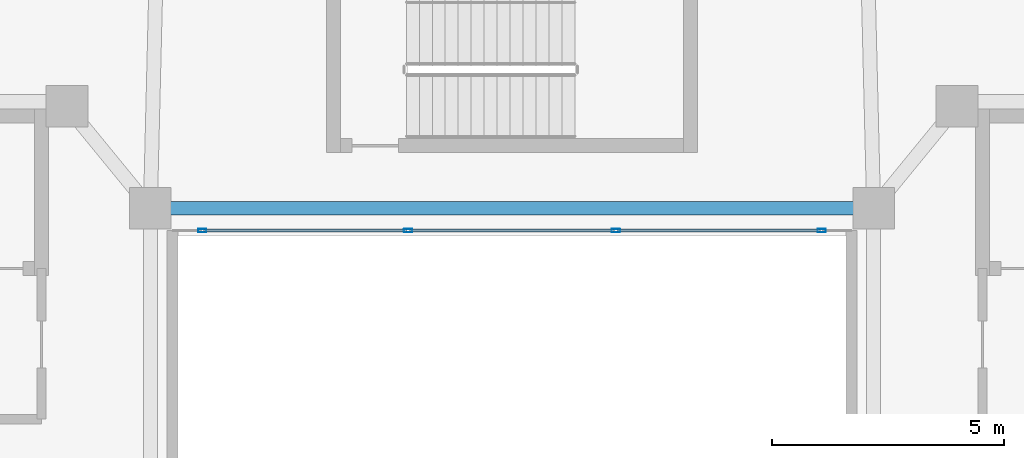
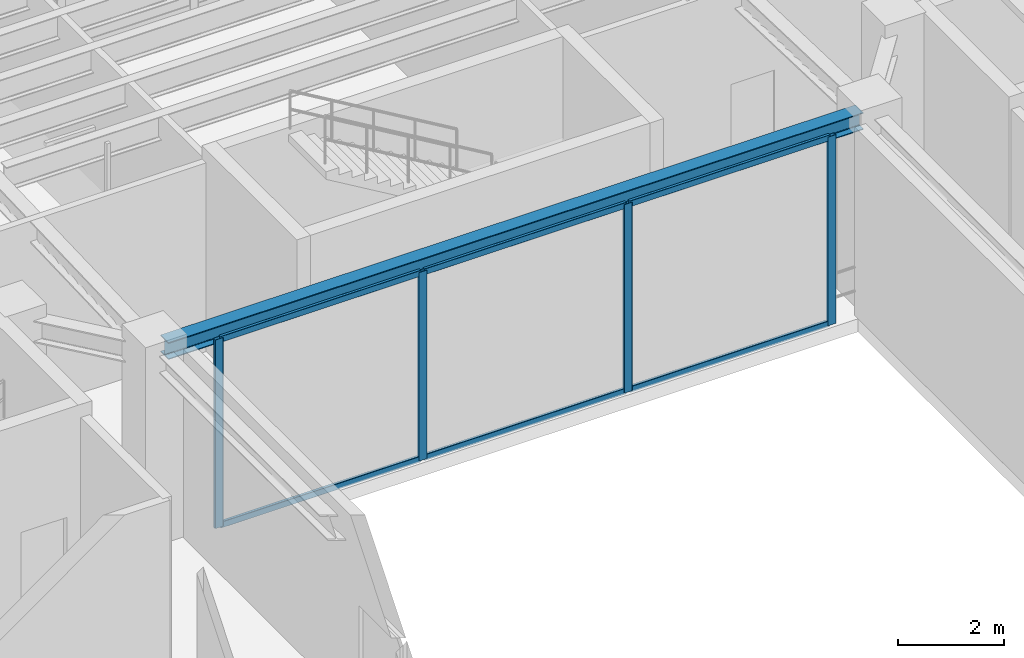
# One storey, part 6 of 23: 10 members, 1 beam, 1 element without a shape of its own.
"""IFC4 building model written with IfcOpenShell, lengths in metres."""

from ifc_helpers import new_model, si_unit, direction, frame, origin, origin_2d, place, context, subcontext, project, spatial, hollow_rectangle, i_section, extrude, material, layer, layer_set, material_profile, profile_set, type_object, element, aggregate, save


model = new_model("IFC4")

# Units and contexts
model_context = context("Model", 3, precision=1e-05, world=origin(), true_north=direction((0.0, 1.0)))
body_context = subcontext(model_context, "Body", "Model", "MODEL_VIEW")
ifc_project = project(units=[si_unit("LENGTHUNIT", "METRE"), si_unit("AREAUNIT", "SQUARE_METRE"), si_unit("VOLUMEUNIT", "CUBIC_METRE"), si_unit("PLANEANGLEUNIT", "RADIAN"), si_unit("MASSUNIT", "GRAM", prefix="KILO")], contexts=[model_context])

# Site, building, storey
site_placement = place(None, origin())
site = spatial("IfcSite", under=ifc_project, at=site_placement, CompositionType="ELEMENT")
building_placement = place(site_placement, origin())
building = spatial("IfcBuilding", under=site, at=building_placement, Name="Tarnavaz Court Tower", CompositionType="ELEMENT")
storey_placement = place(building_placement, frame((0.0, 0.0, 227.10009765625)))
storey = spatial("IfcBuildingStorey", under=building, at=storey_placement, Name="L62", CompositionType="ELEMENT", Elevation=227.10009765625)

# Beam
ifc_material_1 = material(Name="Steel S355", Category="steel")
ifc_material_profile_1 = material_profile(ifc_material_1, i_section(OverallWidth=0.300048828125, OverallDepth=0.389892578125, WebThickness=0.010986328125, FlangeThickness=0.01904296875, FilletRadius=0.027099609375, at=origin_2d()), Name="HEA 400")
ifc_profile_set_1 = profile_set([ifc_material_profile_1], Name="Steel S355")
beam_type = type_object("IfcBeamType", Name="BM-SP-HEA400", PredefinedType="BEAM", material=ifc_profile_set_1)
beam_placement = place(storey_placement, frame((-7.580078125, 7.800048828125, 4.15478515625), z_axis=(1.0, 0.0, 0.0), x_axis=(0.0, 1.0, 0.0)))
element("IfcBeam", 1, at=beam_placement, inside=storey, type_object=beam_type, Name="L62 Beam IN-IW-NW-IW-NE", PredefinedType="BEAM", context=body_context, shape_type="SweptSolid", body=[
    extrude(i_section(OverallWidth=0.300048828125, OverallDepth=0.389892578125, WebThickness=0.010986328125, FlangeThickness=0.01904296875, FilletRadius=0.027099609375, at=origin_2d()), origin(), (0.0, 0.0, 1.0), 15.16015625),
])

# Curtain wall, members
ifc_material_2 = material(Name="Anodised Aluminium 6063-T6 and Solar Low-E Glazing", Category="aluminium")
ifc_layer = layer(ifc_material_2, 0.139892578125)
ifc_layer_set = layer_set([ifc_layer], Name="Anodised Aluminium 6063-T6 and Solar Low-E Glazing")
curtain_wall_type = type_object("IfcCurtainWallType", Name="CW-SYS-04", PredefinedType="NOTDEFINED", material=ifc_layer_set)
curtain_wall_placement = place(storey_placement, origin())
curtain_wall = element("IfcCurtainWall", 2, at=curtain_wall_placement, inside=storey, type_object=curtain_wall_type, Name="L62 Badgir Courtyard Curtain Wall N", PredefinedType="NOTDEFINED")
ifc_material_3 = material(Name="Anodised Aluminium 6063-T6", Category="aluminium")
ifc_material_profile_2 = material_profile(ifc_material_3, hollow_rectangle(XDim=0.074951171875, YDim=0.179931640625, WallThickness=0.0048828125, InnerFilletRadius=0.0048828125, OuterFilletRadius=0.010009765625, at=origin_2d()), Name="ALU RHS 180X75X5")
ifc_profile_set_2 = profile_set([ifc_material_profile_2], Name="Anodised Aluminium 6063-T6")
member_type_1 = type_object("IfcMemberType", Name="CW-MUL-180", PredefinedType="MULLION", material=ifc_profile_set_2)
member_1_placement = place(storey_placement, frame((6.6826171875, 7.320068359375, 0.0), z_axis=(0.0, 0.0, 1.0), x_axis=(0.0, -1.0, 0.0)))
member_1 = element("IfcMember", 3, at=member_1_placement, type_object=member_type_1, Name="CW mullion 1", PredefinedType="MULLION", context=body_context, shape_type="SweptSolid", body=[
    extrude(hollow_rectangle(XDim=0.074951171875, YDim=0.179931640625, WallThickness=0.0048828125, InnerFilletRadius=0.0048828125, OuterFilletRadius=0.010009765625, at=origin_2d()), origin(), (0.0, 0.0, 1.0), 4.349853515625),
])
member_2_placement = place(storey_placement, frame((2.239990234375, 7.320068359375, 0.0), z_axis=(0.0, 0.0, 1.0), x_axis=(0.0, -1.0, 0.0)))
member_2 = element("IfcMember", 4, at=member_2_placement, type_object=member_type_1, Name="CW mullion 2", PredefinedType="MULLION", context=body_context, shape_type="SweptSolid", body=[
    extrude(hollow_rectangle(XDim=0.074951171875, YDim=0.179931640625, WallThickness=0.0048828125, InnerFilletRadius=0.0048828125, OuterFilletRadius=0.010009765625, at=origin_2d()), origin(), (0.0, 0.0, 1.0), 4.349853515625),
])
member_3_placement = place(storey_placement, frame((-2.239990234375, 7.320068359375, 0.0), z_axis=(0.0, 0.0, 1.0), x_axis=(0.0, -1.0, 0.0)))
member_3 = element("IfcMember", 5, at=member_3_placement, type_object=member_type_1, Name="CW mullion 3", PredefinedType="MULLION", context=body_context, shape_type="SweptSolid", body=[
    extrude(hollow_rectangle(XDim=0.074951171875, YDim=0.179931640625, WallThickness=0.0048828125, InnerFilletRadius=0.0048828125, OuterFilletRadius=0.010009765625, at=origin_2d()), origin(), (0.0, 0.0, 1.0), 4.349853515625),
])
member_4_placement = place(storey_placement, frame((-6.6826171875, 7.320068359375, 0.0), z_axis=(0.0, 0.0, 1.0), x_axis=(0.0, -1.0, 0.0)))
member_4 = element("IfcMember", 6, at=member_4_placement, type_object=member_type_1, Name="CW mullion 4", PredefinedType="MULLION", context=body_context, shape_type="SweptSolid", body=[
    extrude(hollow_rectangle(XDim=0.074951171875, YDim=0.179931640625, WallThickness=0.0048828125, InnerFilletRadius=0.0048828125, OuterFilletRadius=0.010009765625, at=origin_2d()), origin(), (0.0, 0.0, 1.0), 4.349853515625),
])
ifc_material_profile_3 = material_profile(ifc_material_3, hollow_rectangle(XDim=0.06494140625, YDim=0.139892578125, WallThickness=0.00390625, InnerFilletRadius=0.00390625, OuterFilletRadius=0.008056640625, at=origin_2d()), Name="ALU RHS 140X65X4")
ifc_profile_set_3 = profile_set([ifc_material_profile_3], Name="Anodised Aluminium 6063-T6")
member_type_2 = type_object("IfcMemberType", Name="CW-TRN-140", PredefinedType="USERDEFINED", material=ifc_profile_set_3)
member_5_placement = place(storey_placement, frame((6.64501953125, 7.320068359375, 0.032470703125), z_axis=(-1.0, 0.0, 0.0), x_axis=(0.0, -1.0, 0.0)))
member_5 = element("IfcMember", 7, at=member_5_placement, type_object=member_type_2, Name="CW transom 1.1", ObjectType="TRANSOM", PredefinedType="USERDEFINED", context=body_context, shape_type="SweptSolid", body=[
    extrude(hollow_rectangle(XDim=0.06494140625, YDim=0.139892578125, WallThickness=0.00390625, InnerFilletRadius=0.00390625, OuterFilletRadius=0.008056640625, at=origin_2d()), origin(), (0.0, 0.0, 1.0), 4.367431640625),
])
member_6_placement = place(storey_placement, frame((6.64501953125, 7.320068359375, 4.3173828125), z_axis=(-1.0, 0.0, 0.0), x_axis=(0.0, -1.0, 0.0)))
member_6 = element("IfcMember", 8, at=member_6_placement, type_object=member_type_2, Name="CW transom 1.2", ObjectType="TRANSOM", PredefinedType="USERDEFINED", context=body_context, shape_type="SweptSolid", body=[
    extrude(hollow_rectangle(XDim=0.06494140625, YDim=0.139892578125, WallThickness=0.00390625, InnerFilletRadius=0.00390625, OuterFilletRadius=0.008056640625, at=origin_2d()), origin(), (0.0, 0.0, 1.0), 4.367431640625),
])
member_7_placement = place(storey_placement, frame((2.202392578125, 7.320068359375, 0.032470703125), z_axis=(-1.0, 0.0, 0.0), x_axis=(0.0, -1.0, 0.0)))
member_7 = element("IfcMember", 9, at=member_7_placement, type_object=member_type_2, Name="CW transom 2.1", ObjectType="TRANSOM", PredefinedType="USERDEFINED", context=body_context, shape_type="SweptSolid", body=[
    extrude(hollow_rectangle(XDim=0.06494140625, YDim=0.139892578125, WallThickness=0.00390625, InnerFilletRadius=0.00390625, OuterFilletRadius=0.008056640625, at=origin_2d()), origin(), (0.0, 0.0, 1.0), 4.40478515625),
])
member_8_placement = place(storey_placement, frame((2.202392578125, 7.320068359375, 4.3173828125), z_axis=(-1.0, 0.0, 0.0), x_axis=(0.0, -1.0, 0.0)))
member_8 = element("IfcMember", 10, at=member_8_placement, type_object=member_type_2, Name="CW transom 2.2", ObjectType="TRANSOM", PredefinedType="USERDEFINED", context=body_context, shape_type="SweptSolid", body=[
    extrude(hollow_rectangle(XDim=0.06494140625, YDim=0.139892578125, WallThickness=0.00390625, InnerFilletRadius=0.00390625, OuterFilletRadius=0.008056640625, at=origin_2d()), origin(), (0.0, 0.0, 1.0), 4.40478515625),
])
member_9_placement = place(storey_placement, frame((-2.277587890625, 7.320068359375, 0.032470703125), z_axis=(-1.0, 0.0, 0.0), x_axis=(0.0, -1.0, 0.0)))
member_9 = element("IfcMember", 11, at=member_9_placement, type_object=member_type_2, Name="CW transom 3.1", ObjectType="TRANSOM", PredefinedType="USERDEFINED", context=body_context, shape_type="SweptSolid", body=[
    extrude(hollow_rectangle(XDim=0.06494140625, YDim=0.139892578125, WallThickness=0.00390625, InnerFilletRadius=0.00390625, OuterFilletRadius=0.008056640625, at=origin_2d()), origin(), (0.0, 0.0, 1.0), 4.367431640625),
])
member_10_placement = place(storey_placement, frame((-2.277587890625, 7.320068359375, 4.3173828125), z_axis=(-1.0, 0.0, 0.0), x_axis=(0.0, -1.0, 0.0)))
member_10 = element("IfcMember", 12, at=member_10_placement, type_object=member_type_2, Name="CW transom 3.2", ObjectType="TRANSOM", PredefinedType="USERDEFINED", context=body_context, shape_type="SweptSolid", body=[
    extrude(hollow_rectangle(XDim=0.06494140625, YDim=0.139892578125, WallThickness=0.00390625, InnerFilletRadius=0.00390625, OuterFilletRadius=0.008056640625, at=origin_2d()), origin(), (0.0, 0.0, 1.0), 4.367431640625),
])
aggregate(curtain_wall, [member_1, member_2, member_3, member_4, member_5, member_6, member_7, member_8, member_9, member_10])

save(model, "model.ifc")
